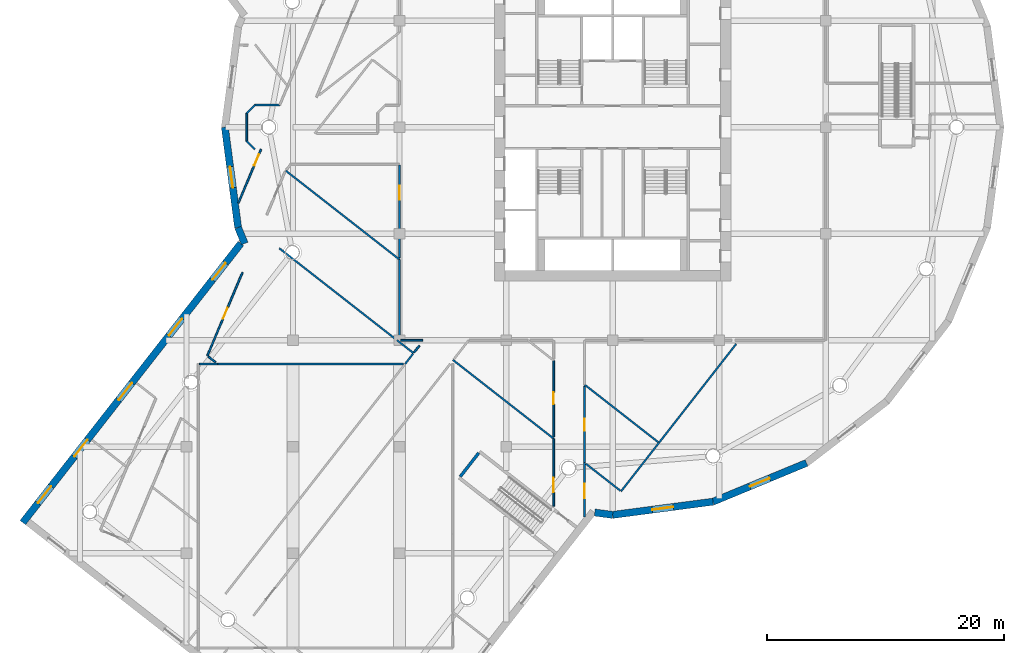
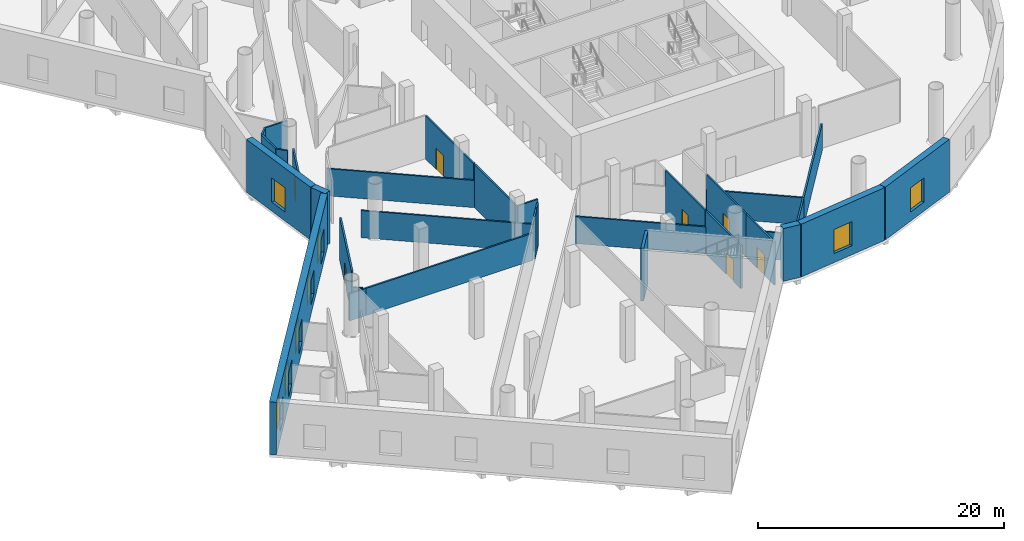
# One storey, part 5 of 23: 33 walls, 8 windows, 7 doors, 15 openings.
"""IFC4 building model written with IfcOpenShell, lengths in metres."""

from ifc_helpers import new_model, si_unit, direction, frame, frame_2d, origin, place, context, subcontext, project, spatial, rectangle, extrude, material, layer, layer_set, type_object, element, fill, save


model = new_model("IFC4")

# Units and contexts
model_context = context("Model", 3, precision=1e-05, world=origin(), true_north=direction((0.0, 1.0)))
body_context = subcontext(model_context, "Body", "Model", "MODEL_VIEW")
ifc_project = project(units=[si_unit("LENGTHUNIT", "METRE"), si_unit("AREAUNIT", "SQUARE_METRE"), si_unit("VOLUMEUNIT", "CUBIC_METRE"), si_unit("PLANEANGLEUNIT", "RADIAN"), si_unit("MASSUNIT", "GRAM", prefix="KILO")], contexts=[model_context])

# Site, building, storey
site_placement = place(None, origin())
site = spatial("IfcSite", under=ifc_project, at=site_placement, CompositionType="ELEMENT")
building_placement = place(site_placement, origin())
building = spatial("IfcBuilding", under=site, at=building_placement, Name="Tarsis Ring Headquarters", CompositionType="ELEMENT")
storey_placement = place(building_placement, frame((0.0, 0.0, 14.0)))
storey = spatial("IfcBuildingStorey", under=building, at=storey_placement, Name="L02", CompositionType="ELEMENT", Elevation=14.0)

# Walls
ifc_material_1 = material(Name="Plasterboard partition")
ifc_layer_1 = layer(ifc_material_1, 0.14990234375)
ifc_layer_set_1 = layer_set([ifc_layer_1], Name="PO-PW150")
wall_type_1 = type_object("IfcWallType", Name="PO-PW150", PredefinedType="PARTITIONING", material=ifc_layer_set_1)
wall_1_placement = place(storey_placement, frame((-17.689208984375, -20.0, 0.0), z_axis=(0.0, 0.0, 1.0), x_axis=(-1.0, 0.0, 0.0)))
element("IfcWall", 1, at=wall_1_placement, inside=storey, type_object=wall_type_1, Name="L02 partition wall 7", PredefinedType="PARTITIONING", context=body_context, shape_type="SweptSolid", body=[
    extrude(rectangle(XDim=15.6728515625, YDim=0.14990234375, at=frame_2d((7.83642578125, 0.0))), origin(), (0.0, 0.0, 1.0), 2.699951171875),
])
wall_2_placement = place(storey_placement, frame((-28.160400390625, -10.23193359375, 0.0), z_axis=(0.0, 0.0, 1.0), x_axis=(0.788016746618, -0.615653804545, 0.0)))
element("IfcWall", 2, at=wall_2_placement, inside=storey, type_object=wall_type_1, Name="L02 partition wall 14", PredefinedType="PARTITIONING", context=body_context, shape_type="SweptSolid", body=[
    extrude(rectangle(XDim=12.61767578125, YDim=0.14990234375, at=frame_2d((6.308837890625, 0.0))), origin(), (0.0, 0.0, 1.0), 2.699951171875),
])
wall_3_placement = place(storey_placement, frame((-27.617919921875, -3.676025390625, 0.0), z_axis=(0.0, 0.0, 1.0), x_axis=(0.788008300901, -0.615664614632, 0.0)))
element("IfcWall", 3, at=wall_3_placement, inside=storey, type_object=wall_type_1, Name="L02 partition wall 19", PredefinedType="PARTITIONING", context=body_context, shape_type="SweptSolid", body=[
    extrude(rectangle(XDim=12.205322265625, YDim=0.14990234375, at=frame_2d((6.1025390625, 0.0))), origin(), (0.0, 0.0, 1.0), 2.699951171875),
])
wall_4_placement = place(storey_placement, frame((-4.981689453125, -26.31298828125, 0.0), z_axis=(0.0, 0.0, 1.0), x_axis=(-0.788017181491, 0.61565324792, 0.0)))
element("IfcWall", 4, at=wall_4_placement, inside=storey, type_object=wall_type_1, Name="L02 partition wall 21", PredefinedType="PARTITIONING", context=body_context, shape_type="SweptSolid", body=[
    extrude(rectangle(XDim=10.807373046875, YDim=0.14990234375, at=frame_2d((5.40380859375, 0.0))), origin(), (0.0, 0.0, 1.0), 2.699951171875),
])
wall_5_placement = place(storey_placement, frame((3.914794921875, -26.662353515625, 0.0), z_axis=(0.0, 0.0, 1.0), x_axis=(0.61567398759, 0.788000977794, 0.0)))
element("IfcWall", 5, at=wall_5_placement, inside=storey, type_object=wall_type_1, Name="L02 partition wall 22", PredefinedType="PARTITIONING", context=body_context, shape_type="SweptSolid", body=[
    extrude(rectangle(XDim=10.599853515625, YDim=0.14990234375, at=frame_2d((5.2998046875, 0.0))), origin(), (0.0, 0.0, 1.0), 2.699951171875),
])
wall_6_placement = place(storey_placement, frame((-2.3798828125, -21.744384765625, 0.0), z_axis=(0.0, 0.0, 1.0), x_axis=(0.788015480772, -0.615655424782, 0.0)))
element("IfcWall", 6, at=wall_6_placement, inside=storey, type_object=wall_type_1, Name="L02 partition wall 43", PredefinedType="PARTITIONING", context=body_context, shape_type="SweptSolid", body=[
    extrude(rectangle(XDim=7.907958984375, YDim=0.14990234375, at=frame_2d((3.9541015625, 0.0))), origin(), (0.0, 0.0, 1.0), 2.699951171875),
])
wall_7_placement = place(storey_placement, frame((0.71337890625, -30.760009765625, 0.0), z_axis=(0.0, 0.0, 1.0), x_axis=(0.615658619507, 0.788012984809, 0.0)))
element("IfcWall", 7, at=wall_7_placement, inside=storey, type_object=wall_type_1, Name="L02 partition wall 72", PredefinedType="PARTITIONING", context=body_context, shape_type="SweptSolid", body=[
    extrude(rectangle(XDim=5.199951171875, YDim=0.14990234375, at=frame_2d((2.60009765625, 0.0))), origin(), (0.0, 0.0, 1.0), 2.699951171875),
])
wall_8_placement = place(storey_placement, frame((-2.253662109375, -28.44189453125, 0.0), z_axis=(0.0, 0.0, 1.0), x_axis=(0.788023369353, -0.615645327566, 0.0)))
element("IfcWall", 8, at=wall_8_placement, inside=storey, type_object=wall_type_1, Name="L02 partition wall 93", PredefinedType="PARTITIONING", context=body_context, shape_type="SweptSolid", body=[
    extrude(rectangle(XDim=3.685302734375, YDim=0.14990234375, at=frame_2d((1.8427734375, 0.0))), origin(), (0.0, 0.0, 1.0), 2.699951171875),
])
wall_9_placement = place(storey_placement, frame((-18.217529296875, -18.0, 0.0), z_axis=(0.0, 0.0, 1.0), x_axis=(0.788001418904, -0.615673423014, 0.0)))
element("IfcWall", 9, at=wall_9_placement, inside=storey, type_object=wall_type_1, Name="L02 partition wall 134", PredefinedType="PARTITIONING", context=body_context, shape_type="SweptSolid", body=[
    extrude(rectangle(XDim=1.773681640625, YDim=0.14990234375, at=frame_2d((0.88671875, 0.0))), origin(), (0.0, 0.0, 1.0), 2.699951171875),
])
wall_10_placement = place(storey_placement, frame((-33.362060546875, -20.0, 0.0), z_axis=(0.0, 0.0, 1.0), x_axis=(-1.0, 0.0, 0.0)))
element("IfcWall", 10, at=wall_10_placement, inside=storey, type_object=wall_type_1, Name="L02 partition wall 142", PredefinedType="PARTITIONING", context=body_context, shape_type="SweptSolid", body=[
    extrude(rectangle(XDim=1.557861328125, YDim=0.14990234375, at=frame_2d((0.77880859375, 0.0))), origin(), (0.0, 0.0, 1.0), 2.699951171875),
])
wall_11_placement = place(storey_placement, frame((-34.1767578125, -19.363525390625, 0.0), z_axis=(0.0, 0.0, 1.0), x_axis=(0.788074399819, -0.615580003208, 0.0)))
element("IfcWall", 11, at=wall_11_placement, inside=storey, type_object=wall_type_1, Name="L02 partition wall 160", PredefinedType="PARTITIONING", context=body_context, shape_type="SweptSolid", body=[
    extrude(rectangle(XDim=0.813720703125, YDim=0.14990234375, at=frame_2d((0.40673828125, 0.0))), origin(), (0.0, 0.0, 1.0), 2.699951171875),
])

# Wall, opening, door
ifc_layer_2 = layer(ifc_material_1, 0.14990234375)
ifc_layer_set_2 = layer_set([ifc_layer_2], Name="PO-PW150R-4283")
wall_type_2 = type_object("IfcWallType", Name="PO-PW150R-4283", PredefinedType="PARTITIONING", material=ifc_layer_set_2)
wall_12_placement = place(storey_placement, frame((-18.0, -11.0302734375, 0.0), z_axis=(0.0, 0.0, 1.0), x_axis=(0.0, 1.0, 0.0)))
wall_12 = element("IfcWall", 12, at=wall_12_placement, inside=storey, type_object=wall_type_2, Name="L02 partition wall 42", PredefinedType="PARTITIONING", context=body_context, shape_type="SweptSolid", body=[
    extrude(rectangle(XDim=7.832763671875, YDim=0.14990234375, at=frame_2d((3.91650390625, 0.0))), origin(), (0.0, 0.0, 1.0), 4.282958984375),
])
opening_1_placement = place(wall_12_placement, frame((4.888427734375, 0.0, 0.0)))
opening_1 = element("IfcOpeningElement", 13, at=opening_1_placement, cuts=wall_12, Name="Opening PO-D2", PredefinedType="OPENING", context=body_context, shape_type="SweptSolid", body=[
    extrude(rectangle(XDim=1.199951171875, YDim=2.10009765625, at=frame_2d((0.60009765625, 1.050048828125))), frame((0.0, 0.0849609375, 0.0), z_axis=(0.0, -1.0, 0.0), x_axis=(1.0, 0.0, 0.0)), (0.0, 0.0, 1.0), 0.169921875),
])
ifc_material_2 = material(Name="Timber door", Category="wood")
door_type_1 = type_object("IfcDoorType", Name="PO-D1200", OperationType="NOTDEFINED", PredefinedType="DOOR", material=ifc_material_2)
door_1_placement = place(opening_1_placement, origin())
door_1 = element("IfcDoor", 14, at=door_1_placement, inside=storey, type_object=door_type_1, Name="Exhibition hall door", OperationType="SINGLE_SWING_RIGHT", OverallHeight=2.10009765625, OverallWidth=1.199951171875, PredefinedType="DOOR", context=body_context, shape_type="SweptSolid", body=[
    extrude(rectangle(XDim=1.199951171875, YDim=2.10009765625, at=frame_2d((0.60009765625, 1.050048828125))), frame((0.0, 0.02490234375, 0.0), z_axis=(0.0, -1.0, 0.0), x_axis=(1.0, 0.0, 0.0)), (0.0, 0.0, 1.0), 0.050048828125),
])
fill(opening_1, door_1)

wall_13_placement = place(storey_placement, frame((-31.265625, -12.265869140625, 0.0), z_axis=(0.0, 0.0, 1.0), x_axis=(-0.388755956087, -0.921340765736, 0.0)))
wall_13 = element("IfcWall", 15, at=wall_13_placement, inside=storey, type_object=wall_type_2, Name="L02 partition wall 48", PredefinedType="PARTITIONING", context=body_context, shape_type="SweptSolid", body=[
    extrude(rectangle(XDim=7.650390625, YDim=0.14990234375, at=frame_2d((3.8251953125, 0.0))), origin(), (0.0, 0.0, 1.0), 4.282958984375),
])
opening_2_placement = place(wall_13_placement, frame((3.25, 0.0, 0.0)))
opening_2 = element("IfcOpeningElement", 16, at=opening_2_placement, cuts=wall_13, Name="Opening PO-D1", PredefinedType="OPENING", context=body_context, shape_type="SweptSolid", body=[
    extrude(rectangle(XDim=1.0, YDim=2.10009765625, at=frame_2d((0.5, 1.050048828125))), frame((0.0, 0.0849609375, 0.0), z_axis=(0.0, -1.0, 0.0), x_axis=(1.0, 0.0, 0.0)), (0.0, 0.0, 1.0), 0.169921875),
])
door_type_2 = type_object("IfcDoorType", Name="PO-D1000", OperationType="NOTDEFINED", PredefinedType="DOOR", material=ifc_material_2)
door_2_placement = place(opening_2_placement, origin())
door_2 = element("IfcDoor", 17, at=door_2_placement, inside=storey, type_object=door_type_2, Name="Conference foyer door", OperationType="SINGLE_SWING_RIGHT", OverallHeight=2.10009765625, OverallWidth=1.0, PredefinedType="DOOR", context=body_context, shape_type="SweptSolid", body=[
    extrude(rectangle(XDim=1.0, YDim=2.10009765625, at=frame_2d((0.5, 1.050048828125))), frame((0.0, 0.02490234375, 0.0), z_axis=(0.0, -1.0, 0.0), x_axis=(1.0, 0.0, 0.0)), (0.0, 0.0, 1.0), 0.050048828125),
])
fill(opening_2, door_2)

# Wall
wall_14_placement = place(storey_placement, frame((-18.0, -18.0, 0.0), z_axis=(0.0, 0.0, 1.0), x_axis=(0.0, 1.0, 0.0)))
element("IfcWall", 18, at=wall_14_placement, inside=storey, type_object=wall_type_2, Name="L02 partition wall 52", PredefinedType="PARTITIONING", context=body_context, shape_type="SweptSolid", body=[
    extrude(rectangle(XDim=6.8095703125, YDim=0.14990234375, at=frame_2d((3.40478515625, 0.0))), origin(), (0.0, 0.0, 1.0), 4.282958984375),
])

# Wall, opening, door
wall_15_placement = place(storey_placement, frame((-4.979736328125, -26.161865234375, 0.0), z_axis=(0.0, 0.0, 1.0), x_axis=(0.0, 1.0, 0.0)))
wall_15 = element("IfcWall", 19, at=wall_15_placement, inside=storey, type_object=wall_type_2, Name="L02 partition wall 53", PredefinedType="PARTITIONING", context=body_context, shape_type="SweptSolid", body=[
    extrude(rectangle(XDim=6.44873046875, YDim=0.14990234375, at=frame_2d((3.224365234375, 0.0))), origin(), (0.0, 0.0, 1.0), 4.282958984375),
])
opening_3_placement = place(wall_15_placement, frame((2.74853515625, 0.0, 0.0)))
opening_3 = element("IfcOpeningElement", 20, at=opening_3_placement, cuts=wall_15, Name="Opening PO-D1", PredefinedType="OPENING", context=body_context, shape_type="SweptSolid", body=[
    extrude(rectangle(XDim=1.0, YDim=2.10009765625, at=frame_2d((0.5, 1.050048828125))), frame((0.0, 0.0849609375, 0.0), z_axis=(0.0, -1.0, 0.0), x_axis=(1.0, 0.0, 0.0)), (0.0, 0.0, 1.0), 0.169921875),
])
door_3_placement = place(opening_3_placement, origin())
door_3 = element("IfcDoor", 21, at=door_3_placement, inside=storey, type_object=door_type_2, Name="Cloakroom door", OperationType="SINGLE_SWING_LEFT", OverallHeight=2.10009765625, OverallWidth=1.0, PredefinedType="DOOR", context=body_context, shape_type="SweptSolid", body=[
    extrude(rectangle(XDim=1.0, YDim=2.10009765625, at=frame_2d((0.5, 1.050048828125))), frame((0.0, 0.02490234375, 0.0), z_axis=(0.0, -1.0, 0.0), x_axis=(1.0, 0.0, 0.0)), (0.0, 0.0, 1.0), 0.050048828125),
])
fill(opening_3, door_3)

wall_16_placement = place(storey_placement, frame((-2.3798828125, -21.904541015625, 0.0), z_axis=(0.0, 0.0, 1.0), x_axis=(0.0, -1.0, 0.0)))
wall_16 = element("IfcWall", 22, at=wall_16_placement, inside=storey, type_object=wall_type_2, Name="L02 partition wall 54", PredefinedType="PARTITIONING", context=body_context, shape_type="SweptSolid", body=[
    extrude(rectangle(XDim=6.438720703125, YDim=0.14990234375, at=frame_2d((3.21923828125, 0.0))), origin(), (0.0, 0.0, 1.0), 4.282958984375),
])
opening_4_placement = place(wall_16_placement, frame((2.738525390625, 0.0, 0.0)))
opening_4 = element("IfcOpeningElement", 23, at=opening_4_placement, cuts=wall_16, Name="Opening PO-D1", PredefinedType="OPENING", context=body_context, shape_type="SweptSolid", body=[
    extrude(rectangle(XDim=1.0, YDim=2.10009765625, at=frame_2d((0.5, 1.050048828125))), frame((0.0, 0.0849609375, 0.0), z_axis=(0.0, -1.0, 0.0), x_axis=(1.0, 0.0, 0.0)), (0.0, 0.0, 1.0), 0.169921875),
])
door_4_placement = place(opening_4_placement, origin())
door_4 = element("IfcDoor", 24, at=door_4_placement, inside=storey, type_object=door_type_2, Name="Cloakroom door", OperationType="SINGLE_SWING_RIGHT", OverallHeight=2.10009765625, OverallWidth=1.0, PredefinedType="DOOR", context=body_context, shape_type="SweptSolid", body=[
    extrude(rectangle(XDim=1.0, YDim=2.10009765625, at=frame_2d((0.5, 1.050048828125))), frame((0.0, 0.02490234375, 0.0), z_axis=(0.0, -1.0, 0.0), x_axis=(1.0, 0.0, 0.0)), (0.0, 0.0, 1.0), 0.050048828125),
])
fill(opening_4, door_4)

wall_17_placement = place(storey_placement, frame((-4.981689453125, -32.012939453125, 0.0), z_axis=(0.0, 0.0, 1.0), x_axis=(0.0, 1.0, 0.0)))
wall_17 = element("IfcWall", 25, at=wall_17_placement, inside=storey, type_object=wall_type_2, Name="L02 partition wall 67", PredefinedType="PARTITIONING", context=body_context, shape_type="SweptSolid", body=[
    extrude(rectangle(XDim=5.699951171875, YDim=0.14990234375, at=frame_2d((2.85009765625, 0.0))), origin(), (0.0, 0.0, 1.0), 4.282958984375),
])
opening_5_placement = place(wall_17_placement, frame((1.1767578125, 0.0, 0.0)))
opening_5 = element("IfcOpeningElement", 26, at=opening_5_placement, cuts=wall_17, Name="Opening PO-D2", PredefinedType="OPENING", context=body_context, shape_type="SweptSolid", body=[
    extrude(rectangle(XDim=1.199951171875, YDim=2.10009765625, at=frame_2d((0.60009765625, 1.050048828125))), frame((0.0, 0.0849609375, 0.0), z_axis=(0.0, -1.0, 0.0), x_axis=(1.0, 0.0, 0.0)), (0.0, 0.0, 1.0), 0.169921875),
])
door_5_placement = place(opening_5_placement, origin())
door_5 = element("IfcDoor", 27, at=door_5_placement, inside=storey, type_object=door_type_1, Name="Exhibition hall door", OperationType="SINGLE_SWING_LEFT", OverallHeight=2.10009765625, OverallWidth=1.199951171875, PredefinedType="DOOR", context=body_context, shape_type="SweptSolid", body=[
    extrude(rectangle(XDim=1.199951171875, YDim=2.10009765625, at=frame_2d((0.60009765625, 1.050048828125))), frame((0.0, 0.02490234375, 0.0), z_axis=(0.0, -1.0, 0.0), x_axis=(1.0, 0.0, 0.0)), (0.0, 0.0, 1.0), 0.050048828125),
])
fill(opening_5, door_5)

wall_18_placement = place(storey_placement, frame((-31.612548828125, -6.400146484375, 0.0), z_axis=(0.0, 0.0, 1.0), x_axis=(0.388747267871, 0.921344431645, 0.0)))
wall_18 = element("IfcWall", 28, at=wall_18_placement, inside=storey, type_object=wall_type_2, Name="L02 partition wall 77", PredefinedType="PARTITIONING", context=body_context, shape_type="SweptSolid", body=[
    extrude(rectangle(XDim=4.916748046875, YDim=0.14990234375, at=frame_2d((2.45849609375, 0.0))), origin(), (0.0, 0.0, 1.0), 4.282958984375),
])
opening_6_placement = place(wall_18_placement, frame((3.440673828125, 0.0, 0.0)))
opening_6 = element("IfcOpeningElement", 29, at=opening_6_placement, cuts=wall_18, Name="Opening PO-D1", PredefinedType="OPENING", context=body_context, shape_type="SweptSolid", body=[
    extrude(rectangle(XDim=1.0, YDim=2.10009765625, at=frame_2d((0.5, 1.050048828125))), frame((0.0, 0.0849609375, 0.0), z_axis=(0.0, -1.0, 0.0), x_axis=(1.0, 0.0, 0.0)), (0.0, 0.0, 1.0), 0.169921875),
])
door_6_placement = place(opening_6_placement, origin())
door_6 = element("IfcDoor", 30, at=door_6_placement, inside=storey, type_object=door_type_2, Name="Video conference room door", OperationType="SINGLE_SWING_LEFT", OverallHeight=2.10009765625, OverallWidth=1.0, PredefinedType="DOOR", context=body_context, shape_type="SweptSolid", body=[
    extrude(rectangle(XDim=1.0, YDim=2.10009765625, at=frame_2d((0.5, 1.050048828125))), frame((0.0, 0.02490234375, 0.0), z_axis=(0.0, -1.0, 0.0), x_axis=(1.0, 0.0, 0.0)), (0.0, 0.0, 1.0), 0.050048828125),
])
fill(opening_6, door_6)

wall_19_placement = place(storey_placement, frame((-2.3798828125, -28.344482421875, 0.0), z_axis=(0.0, 0.0, 1.0), x_axis=(0.0, -1.0, 0.0)))
wall_19 = element("IfcWall", 31, at=wall_19_placement, inside=storey, type_object=wall_type_2, Name="L02 partition wall 79", PredefinedType="PARTITIONING", context=body_context, shape_type="SweptSolid", body=[
    extrude(rectangle(XDim=4.588134765625, YDim=0.14990234375, at=frame_2d((2.2939453125, 0.0))), origin(), (0.0, 0.0, 1.0), 4.282958984375),
])
opening_7_placement = place(wall_19_placement, frame((1.798583984375, 0.0, 0.0)))
opening_7 = element("IfcOpeningElement", 32, at=opening_7_placement, cuts=wall_19, Name="Opening PO-D2", PredefinedType="OPENING", context=body_context, shape_type="SweptSolid", body=[
    extrude(rectangle(XDim=1.199951171875, YDim=2.10009765625, at=frame_2d((0.60009765625, 1.050048828125))), frame((0.0, 0.0849609375, 0.0), z_axis=(0.0, -1.0, 0.0), x_axis=(1.0, 0.0, 0.0)), (0.0, 0.0, 1.0), 0.169921875),
])
door_7_placement = place(opening_7_placement, origin())
door_7 = element("IfcDoor", 33, at=door_7_placement, inside=storey, type_object=door_type_1, Name="Hall plant room door", OperationType="SINGLE_SWING_RIGHT", OverallHeight=2.10009765625, OverallWidth=1.199951171875, PredefinedType="DOOR", context=body_context, shape_type="SweptSolid", body=[
    extrude(rectangle(XDim=1.199951171875, YDim=2.10009765625, at=frame_2d((0.60009765625, 1.050048828125))), frame((0.0, 0.02490234375, 0.0), z_axis=(0.0, -1.0, 0.0), x_axis=(1.0, 0.0, 0.0)), (0.0, 0.0, 1.0), 0.050048828125),
])
fill(opening_7, door_7)

# Walls
wall_20_placement = place(storey_placement, frame((-30.91845703125, -1.179931640625, 0.0), z_axis=(0.0, 0.0, 1.0), x_axis=(0.0, 1.0, 0.0)))
element("IfcWall", 34, at=wall_20_placement, inside=storey, type_object=wall_type_2, Name="L02 partition wall 117", PredefinedType="PARTITIONING", context=body_context, shape_type="SweptSolid", body=[
    extrude(rectangle(XDim=2.35986328125, YDim=0.14990234375, at=frame_2d((1.179931640625, 0.0))), origin(), (0.0, 0.0, 1.0), 4.282958984375),
])
wall_21_placement = place(storey_placement, frame((-30.228515625, 1.8701171875, 0.0), z_axis=(0.0, 0.0, 1.0), x_axis=(1.0, 0.0, 0.0)))
element("IfcWall", 35, at=wall_21_placement, inside=storey, type_object=wall_type_2, Name="L02 partition wall 120", PredefinedType="PARTITIONING", context=body_context, shape_type="SweptSolid", body=[
    extrude(rectangle(XDim=2.10546875, YDim=0.14990234375, at=frame_2d((1.052734375, 0.0))), origin(), (0.0, 0.0, 1.0), 4.282958984375),
])
wall_22_placement = place(storey_placement, frame((-16.042724609375, -18.0, 0.0), z_axis=(0.0, 0.0, 1.0), x_axis=(-1.0, 0.0, 0.0)))
element("IfcWall", 36, at=wall_22_placement, inside=storey, type_object=wall_type_2, Name="L02 partition wall 128", PredefinedType="PARTITIONING", context=body_context, shape_type="SweptSolid", body=[
    extrude(rectangle(XDim=1.877197265625, YDim=0.14990234375, at=frame_2d((0.9384765625, 0.0))), origin(), (0.0, 0.0, 1.0), 4.282958984375),
])
wall_23_placement = place(storey_placement, frame((-17.529296875, -20.0, 0.0), z_axis=(0.0, 0.0, 1.0), x_axis=(0.615657296983, 0.788014018068, 0.0)))
element("IfcWall", 37, at=wall_23_placement, inside=storey, type_object=wall_type_2, Name="L02 partition wall 157", PredefinedType="PARTITIONING", context=body_context, shape_type="SweptSolid", body=[
    extrude(rectangle(XDim=1.072265625, YDim=0.14990234375, at=frame_2d((0.5361328125, 0.0))), origin(), (0.0, 0.0, 1.0), 4.282958984375),
])
for number, where, z_axis, x_axis, name in (
    (38, (-30.228515625, -1.8701171875, 0.0), (0.0, 0.0, 1.0), (-0.706981684899, 0.707231855347, 0.0), "L02 partition wall 162"),
    (39, (-30.91845703125, 1.179931640625, 0.0), (0.0, 0.0, 1.0), (0.706981684899, 0.707231855347, 0.0), "L02 partition wall 163"),
):
    element("IfcWall", number, at=place(storey_placement, frame(where, z_axis=z_axis, x_axis=x_axis)), inside=storey, type_object=wall_type_2, Name=name, PredefinedType="PARTITIONING", context=body_context, shape_type="SweptSolid", body=[
        extrude(rectangle(XDim=0.975830078125, YDim=0.14990234375, at=frame_2d((0.48779296875, 0.0))), origin(), (0.0, 0.0, 1.0), 4.282958984375),
    ])
wall_24_placement = place(storey_placement, frame((-16.7705078125, -19.029052734375, 0.0), z_axis=(0.0, 0.0, 1.0), x_axis=(0.615631049228, 0.788034524134, 0.0)))
element("IfcWall", 40, at=wall_24_placement, inside=storey, type_object=wall_type_2, Name="L02 partition wall 171", PredefinedType="PARTITIONING", context=body_context, shape_type="SweptSolid", body=[
    extrude(rectangle(XDim=0.729248046875, YDim=0.14990234375, at=frame_2d((0.36474609375, 0.0))), origin(), (0.0, 0.0, 1.0), 4.282958984375),
])
ifc_material_3 = material(Name="Concrete C40/50", Category="concrete")
ifc_layer_3 = layer(ifc_material_3, 0.25)
ifc_layer_set_3 = layer_set([ifc_layer_3], Name="PO-W250")
wall_type_3 = type_object("IfcWallType", Name="PO-W250", PredefinedType="SOLIDWALL", material=ifc_layer_set_3)
wall_25_placement = place(storey_placement, frame((-12.875, -29.524169921875, 0.0), z_axis=(0.0, 0.0, 1.0), x_axis=(0.615343695919, 0.788258926935, 0.0)))
element("IfcWall", 41, at=wall_25_placement, inside=storey, type_object=wall_type_3, Name="L02 shaft wall 107", PredefinedType="SOLIDWALL", context=body_context, shape_type="SweptSolid", body=[
    extrude(rectangle(XDim=2.5400390625, YDim=0.25, at=frame_2d((1.27001953125, 0.0))), origin(), (0.0, 0.0, 1.0), 5.25),
])

# Wall, opening, window
ifc_material_4 = material(Name="Concrete C60/75", Category="concrete")
ifc_layer_4 = layer(ifc_material_4, 0.60009765625)
ifc_layer_set_4 = layer_set([ifc_layer_4], Name="PO-W600")
wall_type_4 = type_object("IfcWallType", Name="PO-W600", PredefinedType="SOLIDWALL", material=ifc_layer_set_4)
wall_26_placement = place(storey_placement, frame((-32.7578125, 0.0, 0.0), z_axis=(0.0, 0.0, 1.0), x_axis=(0.130529102837, -0.991444478179, 0.0)))
wall_26 = element("IfcWall", 42, at=wall_26_placement, inside=storey, type_object=wall_type_4, Name="L02 external wall 4", PredefinedType="SOLIDWALL", context=body_context, shape_type="SweptSolid", body=[
    extrude(rectangle(XDim=8.551513671875, YDim=0.60009765625, at=frame_2d((4.27587890625, 0.0))), origin(), (0.0, 0.0, 1.0), 5.25),
])
opening_8_placement = place(wall_26_placement, frame((3.375732421875, 0.0, 0.89990234375)))
opening_8 = element("IfcOpeningElement", 43, at=opening_8_placement, cuts=wall_26, Name="Opening PO-WN1", PredefinedType="OPENING", context=body_context, shape_type="SweptSolid", body=[
    extrude(rectangle(XDim=1.800048828125, YDim=2.39990234375, at=frame_2d((0.89990234375, 1.199951171875))), frame((0.0, 0.31005859375, 0.0), z_axis=(0.0, -1.0, 0.0), x_axis=(1.0, 0.0, 0.0)), (0.0, 0.0, 1.0), 0.6201171875),
])
ifc_material_5 = material(Name="Double glazing", Category="glass")
window_type = type_object("IfcWindowType", Name="PO-WN1800", PartitioningType="SINGLE_PANEL", PredefinedType="WINDOW", material=ifc_material_5)
window_1_placement = place(opening_8_placement, origin())
window_1 = element("IfcWindow", 44, at=window_1_placement, inside=storey, type_object=window_type, Name="L02 window 4.1", OverallHeight=2.39990234375, OverallWidth=1.800048828125, PartitioningType="SINGLE_PANEL", PredefinedType="WINDOW", context=body_context, shape_type="SweptSolid", body=[
    extrude(rectangle(XDim=1.800048828125, YDim=2.39990234375, at=frame_2d((0.89990234375, 1.199951171875))), frame((0.0, 0.030029296875, 0.0), z_axis=(0.0, -1.0, 0.0), x_axis=(1.0, 0.0, 0.0)), (0.0, 0.0, 1.0), 0.06005859375),
])
fill(opening_8, window_1)

# Wall
wall_27_placement = place(storey_placement, frame((-31.6416015625, -8.478271484375, 0.0), z_axis=(0.0, 0.0, 1.0), x_axis=(0.382709854909, -0.923868587493, 0.0)))
element("IfcWall", 45, at=wall_27_placement, inside=storey, type_object=wall_type_4, Name="L02 external wall 5", PredefinedType="SOLIDWALL", context=body_context, shape_type="SweptSolid", body=[
    extrude(rectangle(XDim=1.46533203125, YDim=0.60009765625, at=frame_2d((0.732666015625, 0.0))), origin(), (0.0, 0.0, 1.0), 5.25),
])

# Wall, openings, windows
wall_28_placement = place(storey_placement, frame((-31.405029296875, -9.82275390625, 0.0), z_axis=(0.0, 0.0, 1.0), x_axis=(-0.615662407014, -0.788010025691, 0.0)))
wall_28 = element("IfcWall", 46, at=wall_28_placement, inside=storey, type_object=wall_type_4, Name="L02 external wall 6", PredefinedType="SOLIDWALL", context=body_context, shape_type="SweptSolid", body=[
    extrude(rectangle(XDim=29.9248046875, YDim=0.60009765625, at=frame_2d((14.96240234375, 0.0))), origin(), (0.0, 0.0, 1.0), 5.25),
])
opening_9_placement = place(wall_28_placement, frame((2.092529296875, 0.0, 0.89990234375)))
opening_9 = element("IfcOpeningElement", 47, at=opening_9_placement, cuts=wall_28, Name="Opening PO-WN1", PredefinedType="OPENING", context=body_context, shape_type="SweptSolid", body=[
    extrude(rectangle(XDim=1.800048828125, YDim=2.39990234375, at=frame_2d((0.89990234375, 1.199951171875))), frame((0.0, 0.31005859375, 0.0), z_axis=(0.0, -1.0, 0.0), x_axis=(1.0, 0.0, 0.0)), (0.0, 0.0, 1.0), 0.6201171875),
])
opening_10_placement = place(wall_28_placement, frame((8.077392578125, 0.0, 0.89990234375)))
opening_10 = element("IfcOpeningElement", 48, at=opening_10_placement, cuts=wall_28, Name="Opening PO-WN1", PredefinedType="OPENING", context=body_context, shape_type="SweptSolid", body=[
    extrude(rectangle(XDim=1.800048828125, YDim=2.39990234375, at=frame_2d((0.89990234375, 1.199951171875))), frame((0.0, 0.31005859375, 0.0), z_axis=(0.0, -1.0, 0.0), x_axis=(1.0, 0.0, 0.0)), (0.0, 0.0, 1.0), 0.6201171875),
])
opening_11_placement = place(wall_28_placement, frame((14.96240234375, 0.0, 0.89990234375)))
opening_11 = element("IfcOpeningElement", 49, at=opening_11_placement, cuts=wall_28, Name="Opening PO-WN1", PredefinedType="OPENING", context=body_context, shape_type="SweptSolid", body=[
    extrude(rectangle(XDim=1.800048828125, YDim=2.39990234375, at=frame_2d((0.89990234375, 1.199951171875))), frame((0.0, 0.31005859375, 0.0), z_axis=(0.0, -1.0, 0.0), x_axis=(1.0, 0.0, 0.0)), (0.0, 0.0, 1.0), 0.6201171875),
])
opening_12_placement = place(wall_28_placement, frame((21.04736328125, 0.0, 0.89990234375)))
opening_12 = element("IfcOpeningElement", 50, at=opening_12_placement, cuts=wall_28, Name="Opening PO-WN1", PredefinedType="OPENING", context=body_context, shape_type="SweptSolid", body=[
    extrude(rectangle(XDim=1.800048828125, YDim=2.39990234375, at=frame_2d((0.89990234375, 1.199951171875))), frame((0.0, 0.31005859375, 0.0), z_axis=(0.0, -1.0, 0.0), x_axis=(1.0, 0.0, 0.0)), (0.0, 0.0, 1.0), 0.6201171875),
])
opening_13_placement = place(wall_28_placement, frame((26.0322265625, 0.0, 0.89990234375)))
opening_13 = element("IfcOpeningElement", 51, at=opening_13_placement, cuts=wall_28, Name="Opening PO-WN1", PredefinedType="OPENING", context=body_context, shape_type="SweptSolid", body=[
    extrude(rectangle(XDim=1.800048828125, YDim=2.39990234375, at=frame_2d((0.89990234375, 1.199951171875))), frame((0.0, 0.31005859375, 0.0), z_axis=(0.0, -1.0, 0.0), x_axis=(1.0, 0.0, 0.0)), (0.0, 0.0, 1.0), 0.6201171875),
])
window_2_placement = place(opening_9_placement, origin())
window_2 = element("IfcWindow", 52, at=window_2_placement, inside=storey, type_object=window_type, Name="L02 window 6.1", OverallHeight=2.39990234375, OverallWidth=1.800048828125, PartitioningType="SINGLE_PANEL", PredefinedType="WINDOW", context=body_context, shape_type="SweptSolid", body=[
    extrude(rectangle(XDim=1.800048828125, YDim=2.39990234375, at=frame_2d((0.89990234375, 1.199951171875))), frame((0.0, 0.030029296875, 0.0), z_axis=(0.0, -1.0, 0.0), x_axis=(1.0, 0.0, 0.0)), (0.0, 0.0, 1.0), 0.06005859375),
])
fill(opening_9, window_2)
window_3_placement = place(opening_10_placement, origin())
window_3 = element("IfcWindow", 53, at=window_3_placement, inside=storey, type_object=window_type, Name="L02 window 6.2", OverallHeight=2.39990234375, OverallWidth=1.800048828125, PartitioningType="SINGLE_PANEL", PredefinedType="WINDOW", context=body_context, shape_type="SweptSolid", body=[
    extrude(rectangle(XDim=1.800048828125, YDim=2.39990234375, at=frame_2d((0.89990234375, 1.199951171875))), frame((0.0, 0.030029296875, 0.0), z_axis=(0.0, -1.0, 0.0), x_axis=(1.0, 0.0, 0.0)), (0.0, 0.0, 1.0), 0.06005859375),
])
fill(opening_10, window_3)
window_4_placement = place(opening_11_placement, origin())
window_4 = element("IfcWindow", 54, at=window_4_placement, inside=storey, type_object=window_type, Name="L02 window 6.3", OverallHeight=2.39990234375, OverallWidth=1.800048828125, PartitioningType="SINGLE_PANEL", PredefinedType="WINDOW", context=body_context, shape_type="SweptSolid", body=[
    extrude(rectangle(XDim=1.800048828125, YDim=2.39990234375, at=frame_2d((0.89990234375, 1.199951171875))), frame((0.0, 0.030029296875, 0.0), z_axis=(0.0, -1.0, 0.0), x_axis=(1.0, 0.0, 0.0)), (0.0, 0.0, 1.0), 0.06005859375),
])
fill(opening_11, window_4)
window_5_placement = place(opening_12_placement, origin())
window_5 = element("IfcWindow", 55, at=window_5_placement, inside=storey, type_object=window_type, Name="L02 window 6.4", OverallHeight=2.39990234375, OverallWidth=1.800048828125, PartitioningType="SINGLE_PANEL", PredefinedType="WINDOW", context=body_context, shape_type="SweptSolid", body=[
    extrude(rectangle(XDim=1.800048828125, YDim=2.39990234375, at=frame_2d((0.89990234375, 1.199951171875))), frame((0.0, 0.030029296875, 0.0), z_axis=(0.0, -1.0, 0.0), x_axis=(1.0, 0.0, 0.0)), (0.0, 0.0, 1.0), 0.06005859375),
])
fill(opening_12, window_5)
window_6_placement = place(opening_13_placement, origin())
window_6 = element("IfcWindow", 56, at=window_6_placement, inside=storey, type_object=window_type, Name="L02 window 6.5", OverallHeight=2.39990234375, OverallWidth=1.800048828125, PartitioningType="SINGLE_PANEL", PredefinedType="WINDOW", context=body_context, shape_type="SweptSolid", body=[
    extrude(rectangle(XDim=1.800048828125, YDim=2.39990234375, at=frame_2d((0.89990234375, 1.199951171875))), frame((0.0, 0.030029296875, 0.0), z_axis=(0.0, -1.0, 0.0), x_axis=(1.0, 0.0, 0.0)), (0.0, 0.0, 1.0), 0.06005859375),
])
fill(opening_13, window_6)

# Wall
wall_29_placement = place(storey_placement, frame((-1.510498046875, -32.55908203125, 0.0), z_axis=(0.0, 0.0, 1.0), x_axis=(0.991455931764, -0.130442076686, 0.0)))
element("IfcWall", 57, at=wall_29_placement, inside=storey, type_object=wall_type_4, Name="L02 external wall 9", PredefinedType="SOLIDWALL", context=body_context, shape_type="SweptSolid", body=[
    extrude(rectangle(XDim=1.5234375, YDim=0.60009765625, at=frame_2d((0.76171875, 0.0))), origin(), (0.0, 0.0, 1.0), 5.25),
])

# Wall, opening, window
wall_30_placement = place(storey_placement, frame((0.0, -32.7578125, 0.0), z_axis=(0.0, 0.0, 1.0), x_axis=(0.991444478179, 0.130529102837, 0.0)))
wall_30 = element("IfcWall", 58, at=wall_30_placement, inside=storey, type_object=wall_type_4, Name="L02 external wall 10", PredefinedType="SOLIDWALL", context=body_context, shape_type="SweptSolid", body=[
    extrude(rectangle(XDim=8.551513671875, YDim=0.60009765625, at=frame_2d((4.27587890625, 0.0))), origin(), (0.0, 0.0, 1.0), 5.25),
])
opening_14_placement = place(wall_30_placement, frame((3.375732421875, 0.0, 0.89990234375)))
opening_14 = element("IfcOpeningElement", 59, at=opening_14_placement, cuts=wall_30, Name="Opening PO-WN1", PredefinedType="OPENING", context=body_context, shape_type="SweptSolid", body=[
    extrude(rectangle(XDim=1.800048828125, YDim=2.39990234375, at=frame_2d((0.89990234375, 1.199951171875))), frame((0.0, 0.31005859375, 0.0), z_axis=(0.0, -1.0, 0.0), x_axis=(1.0, 0.0, 0.0)), (0.0, 0.0, 1.0), 0.6201171875),
])
window_7_placement = place(opening_14_placement, origin())
window_7 = element("IfcWindow", 60, at=window_7_placement, inside=storey, type_object=window_type, Name="L02 window 10.1", OverallHeight=2.39990234375, OverallWidth=1.800048828125, PartitioningType="SINGLE_PANEL", PredefinedType="WINDOW", context=body_context, shape_type="SweptSolid", body=[
    extrude(rectangle(XDim=1.800048828125, YDim=2.39990234375, at=frame_2d((0.89990234375, 1.199951171875))), frame((0.0, 0.030029296875, 0.0), z_axis=(0.0, -1.0, 0.0), x_axis=(1.0, 0.0, 0.0)), (0.0, 0.0, 1.0), 0.06005859375),
])
fill(opening_14, window_7)

wall_31_placement = place(storey_placement, frame((8.478271484375, -31.6416015625, 0.0), z_axis=(0.0, 0.0, 1.0), x_axis=(0.923883217595, 0.382674535665, 0.0)))
wall_31 = element("IfcWall", 61, at=wall_31_placement, inside=storey, type_object=wall_type_4, Name="L02 external wall 11", PredefinedType="SOLIDWALL", context=body_context, shape_type="SweptSolid", body=[
    extrude(rectangle(XDim=8.551513671875, YDim=0.60009765625, at=frame_2d((4.27587890625, 0.0))), origin(), (0.0, 0.0, 1.0), 5.25),
])
opening_15_placement = place(wall_31_placement, frame((3.375732421875, 0.0, 0.89990234375)))
opening_15 = element("IfcOpeningElement", 62, at=opening_15_placement, cuts=wall_31, Name="Opening PO-WN1", PredefinedType="OPENING", context=body_context, shape_type="SweptSolid", body=[
    extrude(rectangle(XDim=1.800048828125, YDim=2.39990234375, at=frame_2d((0.89990234375, 1.199951171875))), frame((0.0, 0.31005859375, 0.0), z_axis=(0.0, -1.0, 0.0), x_axis=(1.0, 0.0, 0.0)), (0.0, 0.0, 1.0), 0.6201171875),
])
window_8_placement = place(opening_15_placement, origin())
window_8 = element("IfcWindow", 63, at=window_8_placement, inside=storey, type_object=window_type, Name="L02 window 11.1", OverallHeight=2.39990234375, OverallWidth=1.800048828125, PartitioningType="SINGLE_PANEL", PredefinedType="WINDOW", context=body_context, shape_type="SweptSolid", body=[
    extrude(rectangle(XDim=1.800048828125, YDim=2.39990234375, at=frame_2d((0.89990234375, 1.199951171875))), frame((0.0, 0.030029296875, 0.0), z_axis=(0.0, -1.0, 0.0), x_axis=(1.0, 0.0, 0.0)), (0.0, 0.0, 1.0), 0.06005859375),
])
fill(opening_15, window_8)

save(model, "model.ifc")
